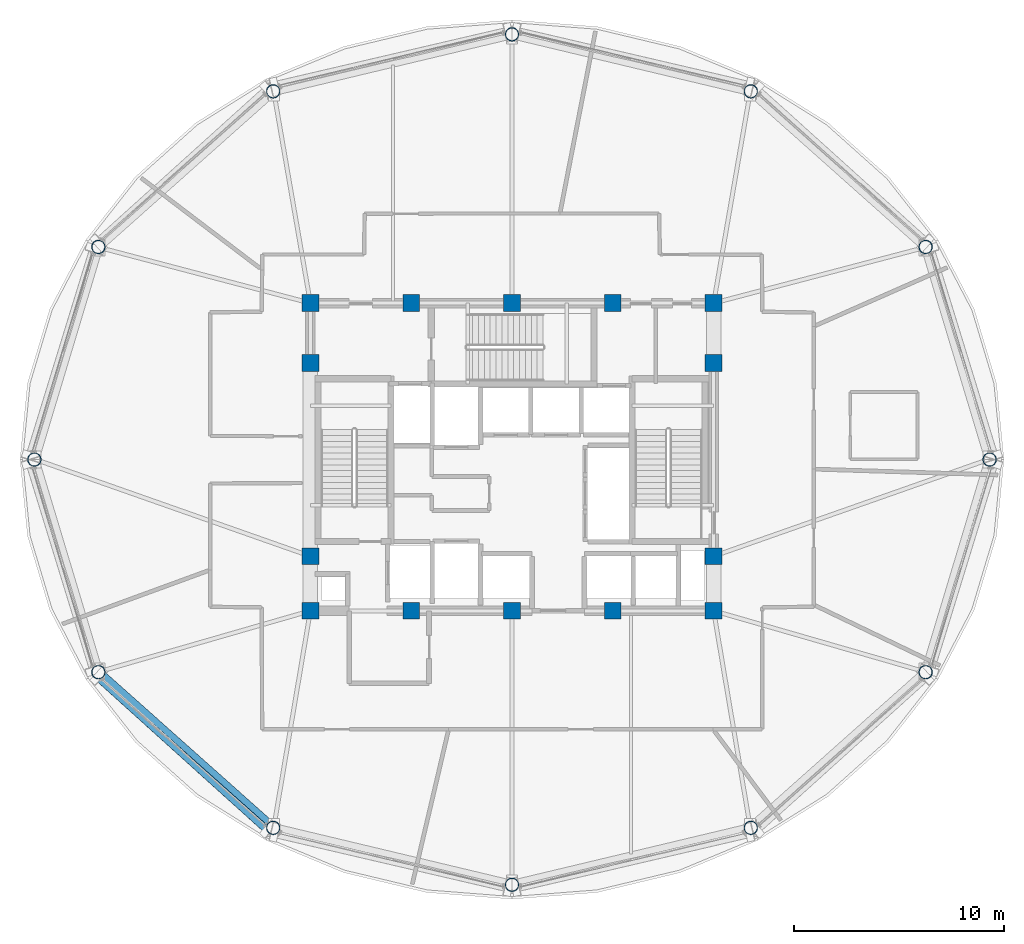
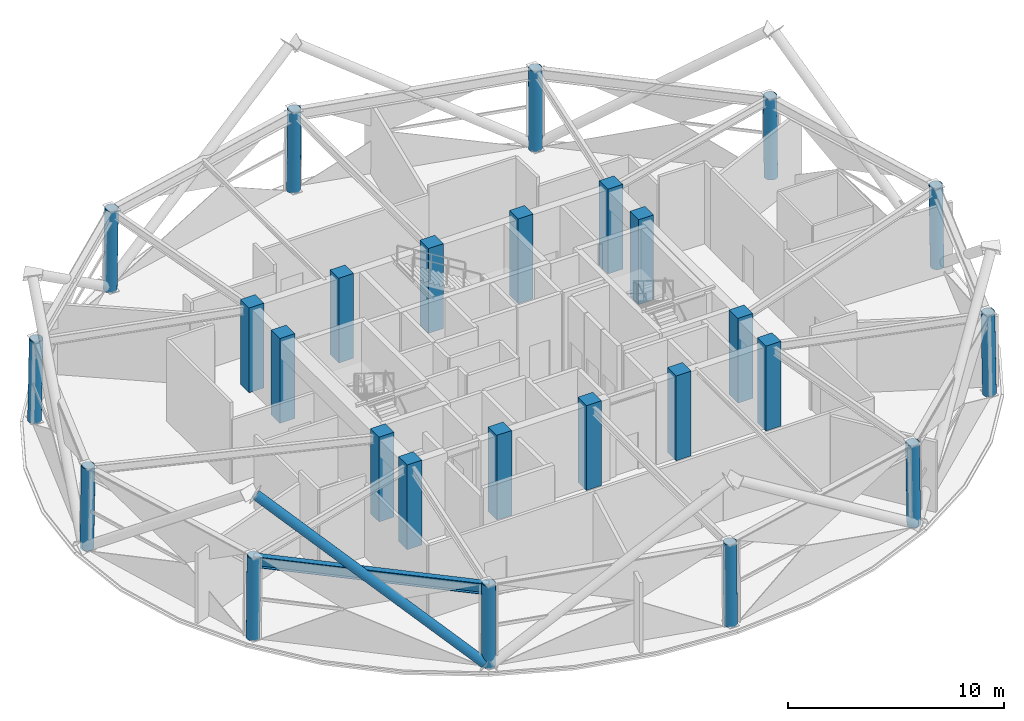
# One storey, part 1 of 16: 26 columns, 1 beam, 1 member.
"""IFC4 building model written with IfcOpenShell, lengths in metres."""

from ifc_helpers import new_model, si_unit, direction, frame, origin, origin_2d, place, context, subcontext, project, spatial, rectangle, hollow_circle, i_section, extrude, material, material_profile, profile_set, type_object, element, save


model = new_model("IFC4")

# Units and contexts
model_context = context("Model", 3, precision=1e-05, world=origin(), true_north=direction((0.0, 1.0)))
body_context = subcontext(model_context, "Body", "Model", "MODEL_VIEW")
ifc_project = project(units=[si_unit("LENGTHUNIT", "METRE"), si_unit("AREAUNIT", "SQUARE_METRE"), si_unit("VOLUMEUNIT", "CUBIC_METRE"), si_unit("PLANEANGLEUNIT", "RADIAN"), si_unit("MASSUNIT", "GRAM", prefix="KILO")], contexts=[model_context])

# Site, building, storey
site_placement = place(None, origin())
site = spatial("IfcSite", under=ifc_project, at=site_placement, CompositionType="ELEMENT")
building_placement = place(site_placement, origin())
building = spatial("IfcBuilding", under=site, at=building_placement, Name="Vantalir Tower", CompositionType="ELEMENT")
storey_placement = place(building_placement, frame((0.0, 0.0, 181.35009765625)))
storey = spatial("IfcBuildingStorey", under=building, at=storey_placement, Name="L45", CompositionType="ELEMENT", Elevation=181.35009765625)

# Columns
ifc_material_1 = material(Name="Concrete C50/60", Category="concrete")
ifc_material_profile_1 = material_profile(ifc_material_1, rectangle(XDim=0.800048828125, YDim=0.800048828125, at=origin_2d()), Name="Concrete C50/60")
ifc_profile_set_1 = profile_set([ifc_material_profile_1], Name="Concrete C50/60")
column_type_1 = type_object("IfcColumnType", Name="COL-CC-800", PredefinedType="COLUMN", material=ifc_profile_set_1)
for number, where, z_axis, x_axis, name in (
    (1, (21.89990234375, 17.800048828125, 0.0), (0.0, 0.0, 1.0), (1.0, 0.0, 0.0), "L45 Core Column CC01"),
    (2, (26.699951171875, 17.800048828125, 0.0), (0.0, 0.0, 1.0), (1.0, 0.0, 0.0), "L45 Core Column CC02"),
    (3, (31.5, 17.800048828125, 0.0), (0.0, 0.0, 1.0), (1.0, 0.0, 0.0), "L45 Core Column CC03"),
    (4, (36.300048828125, 17.800048828125, 0.0), (0.0, 0.0, 1.0), (1.0, 0.0, 0.0), "L45 Core Column CC04"),
    (5, (41.10009765625, 17.800048828125, 0.0), (0.0, 0.0, 1.0), (1.0, 0.0, 0.0), "L45 Core Column CC05"),
    (6, (21.89990234375, 20.39990234375, 0.0), (0.0, 0.0, 1.0), (1.0, 0.0, 0.0), "L45 Core Column CC06"),
    (7, (21.89990234375, 29.60009765625, 0.0), (0.0, 0.0, 1.0), (1.0, 0.0, 0.0), "L45 Core Column CC07"),
    (8, (41.10009765625, 20.39990234375, 0.0), (0.0, 0.0, 1.0), (1.0, 0.0, 0.0), "L45 Core Column CC08"),
    (9, (41.10009765625, 29.60009765625, 0.0), (0.0, 0.0, 1.0), (1.0, 0.0, 0.0), "L45 Core Column CC09"),
    (10, (21.89990234375, 32.449951171875, 0.0), (0.0, 0.0, 1.0), (1.0, 0.0, 0.0), "L45 Core Column CC10"),
    (11, (26.699951171875, 32.449951171875, 0.0), (0.0, 0.0, 1.0), (1.0, 0.0, 0.0), "L45 Core Column CC11"),
    (12, (31.5, 32.449951171875, 0.0), (0.0, 0.0, 1.0), (1.0, 0.0, 0.0), "L45 Core Column CC12"),
    (13, (36.300048828125, 32.449951171875, 0.0), (0.0, 0.0, 1.0), (1.0, 0.0, 0.0), "L45 Core Column CC13"),
    (14, (41.10009765625, 32.449951171875, 0.0), (0.0, 0.0, 1.0), (1.0, 0.0, 0.0), "L45 Core Column CC14"),
):
    element("IfcColumn", number, at=place(storey_placement, frame(where, z_axis=z_axis, x_axis=x_axis)), inside=storey, type_object=column_type_1, Name=name, PredefinedType="COLUMN", context=body_context, shape_type="SweptSolid", body=[
        extrude(rectangle(XDim=0.800048828125, YDim=0.800048828125, at=origin_2d()), origin(), (0.0, 0.0, 1.0), 4.7998046875),
    ])
ifc_material_2 = material(Name="Steel S460", Category="steel")
ifc_material_profile_2 = material_profile(ifc_material_2, hollow_circle(Radius=0.324951171875, WallThickness=0.030029296875, at=origin_2d()), Name="Steel S460")
ifc_profile_set_2 = profile_set([ifc_material_profile_2], Name="Steel S460")
column_type_2 = type_object("IfcColumnType", Name="COL-RC-650", PredefinedType="COLUMN", material=ifc_profile_set_2)
for number, where, z_axis, x_axis, name in (
    (15, (54.25, 25.0, 0.0), (-0.016010207896, 0.0, 0.999871828408), (0.0, -1.0, 0.0), "L45 Perimeter Ring Column RC01"),
    (16, (51.201904296875, 35.126953125, 0.0), (-0.013843905597, -0.007133310136, 0.999878723728), (0.458037839434, -0.888932695791, 0.0), "L45 Perimeter Ring Column RC02"),
    (17, (42.875, 42.5400390625, 0.0), (-0.008031679831, -0.01236455974, 0.999891298983), (0.838607336961, -0.544736389821, 0.0), "L45 Perimeter Ring Column RC03"),
    (18, (31.5, 45.25390625, 0.0), (0.0, -0.014266898489, 0.999898222624), (1.0, 0.0, 0.0), "L45 Perimeter Ring Column RC04"),
    (19, (20.125, 42.5400390625, 0.0), (0.008031679831, -0.01236455974, 0.999891298983), (0.838607336961, 0.544736389821, 0.0), "L45 Perimeter Ring Column RC05"),
    (20, (11.798095703125, 35.126953125, 0.0), (0.013843905597, -0.007133310136, 0.999878723728), (0.458037839434, 0.888932695791, 0.0), "L45 Perimeter Ring Column RC06"),
    (21, (8.75, 25.0, 0.0), (0.016010207896, 0.0, 0.999871828408), (0.0, 1.0, 0.0), "L45 Perimeter Ring Column RC07"),
    (22, (11.798095703125, 14.873046875, 0.0), (0.013843905597, 0.007133310136, 0.999878723728), (-0.458037839434, 0.888932695791, 0.0), "L45 Perimeter Ring Column RC08"),
    (23, (20.125, 7.4599609375, 0.0), (0.008031679831, 0.01236455974, 0.999891298983), (-0.838607336961, 0.544736389821, 0.0), "L45 Perimeter Ring Column RC09"),
    (24, (31.5, 4.74609375, 0.0), (0.0, 0.014266898489, 0.999898222624), (-1.0, 0.0, 0.0), "L45 Perimeter Ring Column RC10"),
    (25, (42.875, 7.4599609375, 0.0), (-0.008031679831, 0.01236455974, 0.999891298983), (-0.838607336961, -0.544736389821, 0.0), "L45 Perimeter Ring Column RC11"),
    (26, (51.201904296875, 14.873046875, 0.0), (-0.013843905597, 0.007133310136, 0.999878723728), (-0.458037839434, -0.888932695791, 0.0), "L45 Perimeter Ring Column RC12"),
):
    element("IfcColumn", number, at=place(storey_placement, frame(where, z_axis=z_axis, x_axis=x_axis)), inside=storey, type_object=column_type_2, Name=name, PredefinedType="COLUMN", context=body_context, shape_type="SweptSolid", body=[
        extrude(hollow_circle(Radius=0.324951171875, WallThickness=0.030029296875, at=origin_2d()), origin(), (0.0, 0.0, 1.0), 4.620361328125),
    ])

# Beam
ifc_material_profile_3 = material_profile(ifc_material_2, i_section(OverallWidth=0.306884765625, OverallDepth=0.6201171875, WebThickness=0.01416015625, FlangeThickness=0.023681640625, at=origin_2d()), Name="Steel S460")
ifc_profile_set_3 = profile_set([ifc_material_profile_3], Name="Steel S460")
beam_type = type_object("IfcBeamType", Name="BM-RG-610x305", PredefinedType="USERDEFINED", material=ifc_profile_set_3)
beam_placement = place(storey_placement, frame((11.862060546875, 14.906005859375, 4.309814453125), z_axis=(0.746913346666, -0.664921388265, 0.0), x_axis=(0.664921388265, 0.746913346666, 0.0)))
element("IfcBeam", 27, at=beam_placement, inside=storey, type_object=beam_type, Name="L45 Circumferential Ring Girder 08", ObjectType="GIRDER", PredefinedType="USERDEFINED", context=body_context, shape_type="SweptSolid", body=[
    extrude(i_section(OverallWidth=0.306884765625, OverallDepth=0.6201171875, WebThickness=0.01416015625, FlangeThickness=0.023681640625, at=origin_2d()), origin(), (0.0, 0.0, 1.0), 11.112548828125),
])

# Member
ifc_material_profile_4 = material_profile(ifc_material_2, hollow_circle(Radius=0.25, WallThickness=0.031982421875, at=origin_2d()), Name="Steel S460")
ifc_profile_set_4 = profile_set([ifc_material_profile_4], Name="Steel S460")
member_type = type_object("IfcMemberType", Name="MEM-DB-500x32", PredefinedType="BRACE", material=ifc_profile_set_4)
member_placement = place(storey_placement, frame((19.89794921875, 7.4140625, 0.2099609375), z_axis=(-0.599297851054, 0.540546715277, 0.590467047621), x_axis=(-0.669771199505, -0.742567532494, 0.0)))
element("IfcMember", 28, at=member_placement, inside=storey, type_object=member_type, Name="L45 Perimeter S460 Diagrid Brace R25R", PredefinedType="BRACE", context=body_context, shape_type="SweptSolid", body=[
    extrude(hollow_circle(Radius=0.25, WallThickness=0.031982421875, at=origin_2d()), origin(), (0.0, 0.0, 1.0), 13.4638671875),
])

save(model, "model.ifc")
